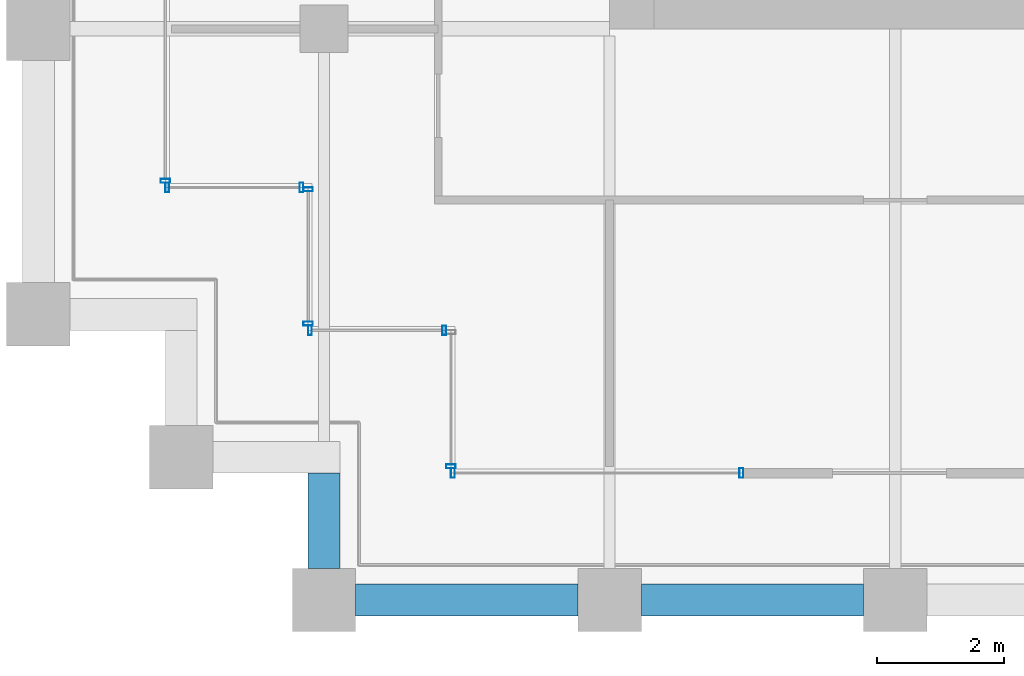
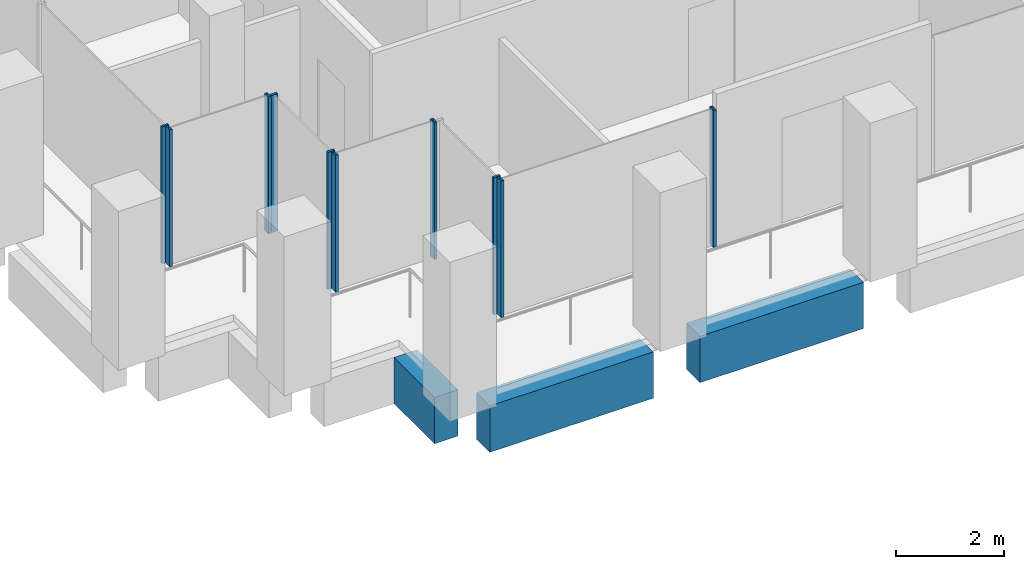
# One storey, part 28 of 47: 10 members, 3 beams, 6 elements without a shape of their own.
"""IFC4 building model written with IfcOpenShell, lengths in metres."""

from ifc_helpers import new_model, si_unit, direction, frame, origin, origin_2d, place, context, subcontext, project, spatial, rectangle, hollow_rectangle, extrude, material, material_profile, profile_set, type_object, element, aggregate, save


model = new_model("IFC4")

# Units and contexts
model_context = context("Model", 3, precision=1e-05, world=origin(), true_north=direction((0.0, 1.0)))
body_context = subcontext(model_context, "Body", "Model", "MODEL_VIEW")
ifc_project = project(units=[si_unit("LENGTHUNIT", "METRE"), si_unit("AREAUNIT", "SQUARE_METRE"), si_unit("VOLUMEUNIT", "CUBIC_METRE"), si_unit("PLANEANGLEUNIT", "RADIAN"), si_unit("MASSUNIT", "GRAM", prefix="KILO")], contexts=[model_context])

# Site, building, storey
site_placement = place(None, origin())
site = spatial("IfcSite", under=ifc_project, at=site_placement, CompositionType="ELEMENT")
building_placement = place(site_placement, origin())
building = spatial("IfcBuilding", under=site, at=building_placement, Name="Altepetl Exchange Towers", CompositionType="ELEMENT")
storey_placement = place(building_placement, frame((0.0, 0.0, 95.60009765625)))
storey = spatial("IfcBuildingStorey", under=building, at=storey_placement, Name="L23", CompositionType="ELEMENT", Elevation=95.60009765625)

# Curtain wall, member
ifc_material_1 = material(Name="Aluminium 6063-T6 glazing", Category="aluminium")
curtain_wall_type = type_object("IfcCurtainWallType", Name="Loggia glazing system", PredefinedType="NOTDEFINED", material=ifc_material_1)
curtain_wall_1_placement = place(storey_placement, origin())
curtain_wall_1 = element("IfcCurtainWall", 1, at=curtain_wall_1_placement, inside=storey, type_object=curtain_wall_type, Name="CW1 run", PredefinedType="NOTDEFINED")
ifc_material_2 = material(Name="Aluminium 6063-T6", Category="aluminium")
ifc_material_profile_1 = material_profile(ifc_material_2, hollow_rectangle(XDim=0.06005859375, YDim=0.14990234375, WallThickness=0.0029296875, at=origin_2d()), Name="Mullion 60x150 aluminium")
ifc_profile_set_1 = profile_set([ifc_material_profile_1], Name="Aluminium 6063-T6")
member_type = type_object("IfcMemberType", Name="Mullion 60x150 aluminium", PredefinedType="MULLION", material=ifc_profile_set_1)
member_1_placement = place(storey_placement, frame((96.5, 33.60498046875, 0.0), z_axis=(0.0, 0.0, 1.0), x_axis=(0.0, -1.0, 0.0)))
member_1 = element("IfcMember", 2, at=member_1_placement, type_object=member_type, Name="MU1 mullion", PredefinedType="MULLION", context=body_context, shape_type="SweptSolid", body=[
    extrude(hollow_rectangle(XDim=0.06005859375, YDim=0.14990234375, WallThickness=0.0029296875, at=origin_2d()), origin(), (0.0, 0.0, 1.0), 3.099853515625),
])
aggregate(curtain_wall_1, [member_1])

# Curtain wall, members
curtain_wall_2_placement = place(storey_placement, origin())
curtain_wall_2 = element("IfcCurtainWall", 3, at=curtain_wall_2_placement, inside=storey, type_object=curtain_wall_type, Name="CW1 run", PredefinedType="NOTDEFINED")
member_2_placement = place(storey_placement, frame((96.530029296875, 33.5, 0.0)))
member_2 = element("IfcMember", 4, at=member_2_placement, type_object=member_type, Name="MU1 mullion", PredefinedType="MULLION", context=body_context, shape_type="SweptSolid", body=[
    extrude(hollow_rectangle(XDim=0.06005859375, YDim=0.14990234375, WallThickness=0.0029296875, at=origin_2d()), origin(), (0.0, 0.0, 1.0), 3.099853515625),
])
member_3_placement = place(storey_placement, frame((98.64501953125, 33.5, 0.0)))
member_3 = element("IfcMember", 5, at=member_3_placement, type_object=member_type, Name="MU1 mullion", PredefinedType="MULLION", context=body_context, shape_type="SweptSolid", body=[
    extrude(hollow_rectangle(XDim=0.06005859375, YDim=0.14990234375, WallThickness=0.0029296875, at=origin_2d()), origin(), (0.0, 0.0, 1.0), 3.099853515625),
])
aggregate(curtain_wall_2, [member_2, member_3])

curtain_wall_3_placement = place(storey_placement, origin())
curtain_wall_3 = element("IfcCurtainWall", 6, at=curtain_wall_3_placement, inside=storey, type_object=curtain_wall_type, Name="CW1 run", PredefinedType="NOTDEFINED")
member_4_placement = place(storey_placement, frame((98.75, 33.469970703125, 0.0), z_axis=(0.0, 0.0, 1.0), x_axis=(0.0, -1.0, 0.0)))
member_4 = element("IfcMember", 7, at=member_4_placement, type_object=member_type, Name="MU1 mullion", PredefinedType="MULLION", context=body_context, shape_type="SweptSolid", body=[
    extrude(hollow_rectangle(XDim=0.06005859375, YDim=0.14990234375, WallThickness=0.0029296875, at=origin_2d()), origin(), (0.0, 0.0, 1.0), 3.099853515625),
])
member_5_placement = place(storey_placement, frame((98.75, 31.35498046875, 0.0), z_axis=(0.0, 0.0, 1.0), x_axis=(0.0, -1.0, 0.0)))
member_5 = element("IfcMember", 8, at=member_5_placement, type_object=member_type, Name="MU1 mullion", PredefinedType="MULLION", context=body_context, shape_type="SweptSolid", body=[
    extrude(hollow_rectangle(XDim=0.06005859375, YDim=0.14990234375, WallThickness=0.0029296875, at=origin_2d()), origin(), (0.0, 0.0, 1.0), 3.099853515625),
])
aggregate(curtain_wall_3, [member_4, member_5])

curtain_wall_4_placement = place(storey_placement, origin())
curtain_wall_4 = element("IfcCurtainWall", 9, at=curtain_wall_4_placement, inside=storey, type_object=curtain_wall_type, Name="CW1 run", PredefinedType="NOTDEFINED")
member_6_placement = place(storey_placement, frame((98.780029296875, 31.25, 0.0)))
member_6 = element("IfcMember", 10, at=member_6_placement, type_object=member_type, Name="MU1 mullion", PredefinedType="MULLION", context=body_context, shape_type="SweptSolid", body=[
    extrude(hollow_rectangle(XDim=0.06005859375, YDim=0.14990234375, WallThickness=0.0029296875, at=origin_2d()), origin(), (0.0, 0.0, 1.0), 3.099853515625),
])
member_7_placement = place(storey_placement, frame((100.89501953125, 31.25, 0.0)))
member_7 = element("IfcMember", 11, at=member_7_placement, type_object=member_type, Name="MU1 mullion", PredefinedType="MULLION", context=body_context, shape_type="SweptSolid", body=[
    extrude(hollow_rectangle(XDim=0.06005859375, YDim=0.14990234375, WallThickness=0.0029296875, at=origin_2d()), origin(), (0.0, 0.0, 1.0), 3.099853515625),
])
aggregate(curtain_wall_4, [member_6, member_7])

# Curtain wall, member
curtain_wall_5_placement = place(storey_placement, origin())
curtain_wall_5 = element("IfcCurtainWall", 12, at=curtain_wall_5_placement, inside=storey, type_object=curtain_wall_type, Name="CW1 run", PredefinedType="NOTDEFINED")
member_8_placement = place(storey_placement, frame((101.0, 29.10498046875, 0.0), z_axis=(0.0, 0.0, 1.0), x_axis=(0.0, -1.0, 0.0)))
member_8 = element("IfcMember", 13, at=member_8_placement, type_object=member_type, Name="MU1 mullion", PredefinedType="MULLION", context=body_context, shape_type="SweptSolid", body=[
    extrude(hollow_rectangle(XDim=0.06005859375, YDim=0.14990234375, WallThickness=0.0029296875, at=origin_2d()), origin(), (0.0, 0.0, 1.0), 3.099853515625),
])
aggregate(curtain_wall_5, [member_8])

# Curtain wall, members
curtain_wall_6_placement = place(storey_placement, origin())
curtain_wall_6 = element("IfcCurtainWall", 14, at=curtain_wall_6_placement, inside=storey, type_object=curtain_wall_type, Name="CW1 run", PredefinedType="NOTDEFINED")
member_9_placement = place(storey_placement, frame((101.030029296875, 29.0, 0.0)))
member_9 = element("IfcMember", 15, at=member_9_placement, type_object=member_type, Name="MU1 mullion", PredefinedType="MULLION", context=body_context, shape_type="SweptSolid", body=[
    extrude(hollow_rectangle(XDim=0.06005859375, YDim=0.14990234375, WallThickness=0.0029296875, at=origin_2d()), origin(), (0.0, 0.0, 1.0), 3.099853515625),
])
member_10_placement = place(storey_placement, frame((105.576171875, 29.0, 0.0)))
member_10 = element("IfcMember", 16, at=member_10_placement, type_object=member_type, Name="MU1 mullion", PredefinedType="MULLION", context=body_context, shape_type="SweptSolid", body=[
    extrude(hollow_rectangle(XDim=0.06005859375, YDim=0.14990234375, WallThickness=0.0029296875, at=origin_2d()), origin(), (0.0, 0.0, 1.0), 3.099853515625),
])
aggregate(curtain_wall_6, [member_9, member_10])

# Beams
ifc_material_3 = material(Name="Concrete C50/60 precast with tezontle facing", Category="concrete")
ifc_material_profile_2 = material_profile(ifc_material_3, rectangle(XDim=0.5, YDim=1.050048828125, at=origin_2d()), Name="500 x 1050")
ifc_profile_set_2 = profile_set([ifc_material_profile_2], Name="Concrete C50/60 precast with tezontle facing")
beam_type = type_object("IfcBeamType", Name="Spandrel beam 500x1050 tezontle", PredefinedType="SPANDREL", material=ifc_profile_set_2)
for number, where, z_axis, x_axis, name in (
    (17, (99.5, 27.0, -0.675048828125), (1.0, 0.0, 0.0), (0.0, 1.0, 0.0), "sp:B:L23:000"),
    (18, (104.0, 27.0, -0.675048828125), (1.0, 0.0, 0.0), (0.0, 1.0, 0.0), "sp:B:L23:001"),
):
    element("IfcBeam", number, at=place(storey_placement, frame(where, z_axis=z_axis, x_axis=x_axis)), inside=storey, type_object=beam_type, Name=name, PredefinedType="SPANDREL", context=body_context, shape_type="SweptSolid", body=[
        extrude(rectangle(XDim=0.5, YDim=1.050048828125, at=origin_2d()), origin(), (0.0, 0.0, 1.0), 3.5),
    ])
beam_placement = place(storey_placement, frame((99.0, 29.0, -0.675048828125), z_axis=(0.0, -1.0, 0.0), x_axis=(1.0, 0.0, 0.0)))
element("IfcBeam", 19, at=beam_placement, inside=storey, type_object=beam_type, Name="sp:B:L23:030", PredefinedType="SPANDREL", context=body_context, shape_type="SweptSolid", body=[
    extrude(rectangle(XDim=0.5, YDim=1.050048828125, at=origin_2d()), origin(), (0.0, 0.0, 1.0), 1.5),
])

save(model, "model.ifc")
